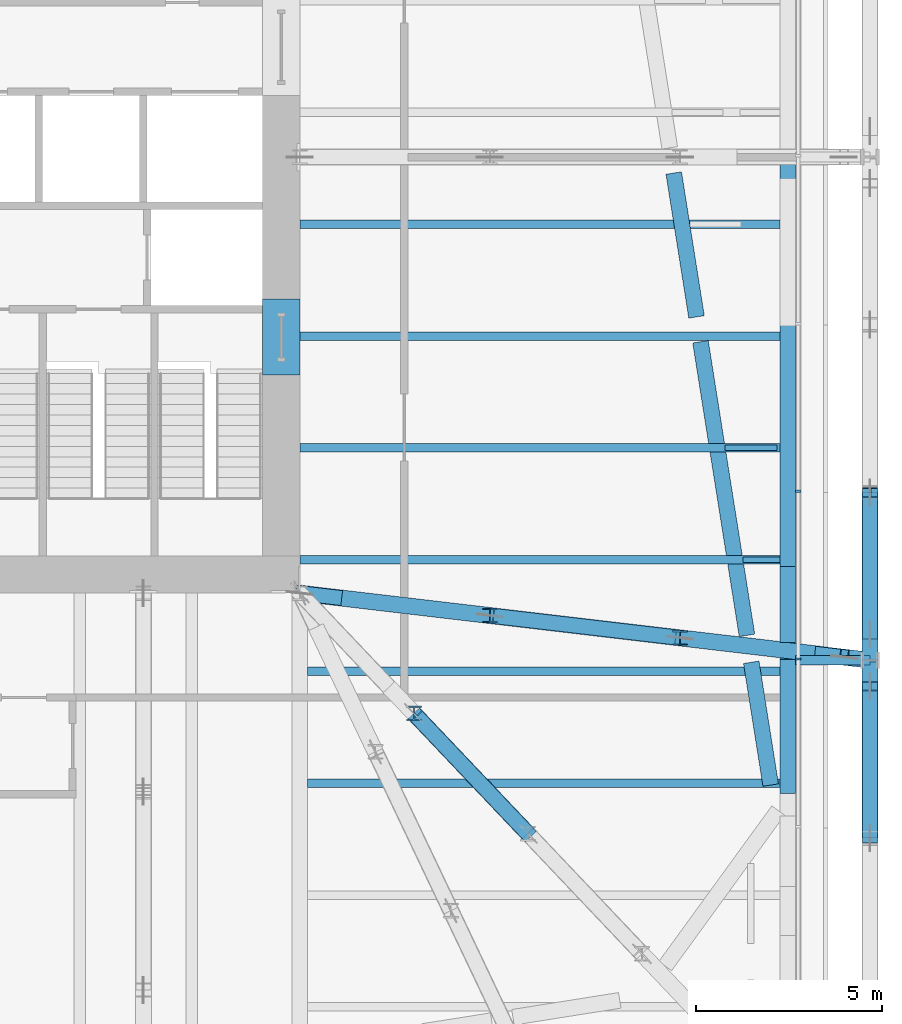
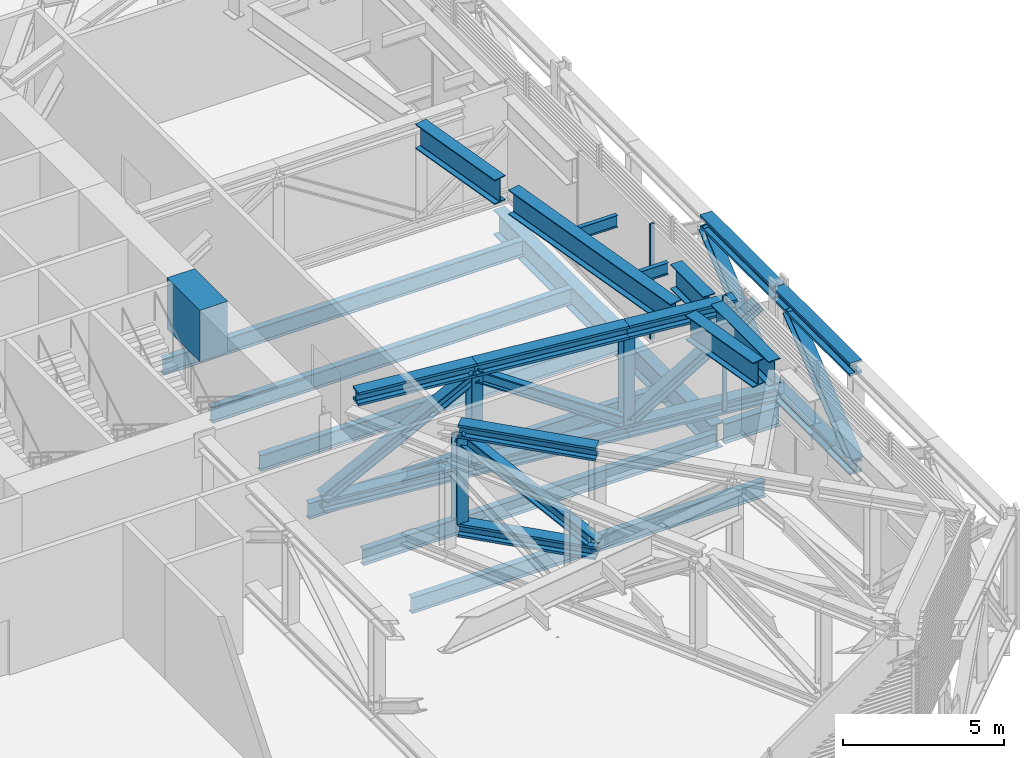
# One storey, part 11 of 31: 28 beams, 11 members, 1 element without a shape of its own.
"""IFC4 building model written with IfcOpenShell, lengths in metres."""

from ifc_helpers import new_model, si_unit, direction, frame, origin, origin_2d, place, context, subcontext, project, spatial, rectangle, i_section, extrude, material, layer, layer_set, material_profile, profile_set, type_object, element, aggregate, save


model = new_model("IFC4")

# Units and contexts
model_context = context("Model", 3, precision=1e-05, world=origin(), true_north=direction((0.0, 1.0)))
body_context = subcontext(model_context, "Body", "Model", "MODEL_VIEW")
ifc_project = project(units=[si_unit("LENGTHUNIT", "METRE"), si_unit("AREAUNIT", "SQUARE_METRE"), si_unit("VOLUMEUNIT", "CUBIC_METRE"), si_unit("PLANEANGLEUNIT", "RADIAN"), si_unit("MASSUNIT", "GRAM", prefix="KILO")], contexts=[model_context])

# Site, building, storey
site_placement = place(None, origin())
site = spatial("IfcSite", under=ifc_project, at=site_placement, CompositionType="ELEMENT")
building_placement = place(site_placement, origin())
building = spatial("IfcBuilding", under=site, at=building_placement, Name="Millrace Tower", CompositionType="ELEMENT")
storey_placement = place(building_placement, frame((0.0, 0.0, 120.39990234375)))
storey = spatial("IfcBuildingStorey", under=building, at=storey_placement, Name="L26", CompositionType="ELEMENT", Elevation=120.39990234375)

# Beams
ifc_material_1 = material(Name="Steel ASTM A992 Grade 50", Category="steel")
ifc_material_profile_1 = material_profile(ifc_material_1, i_section(OverallWidth=0.431884765625, OverallDepth=0.497802734375, WebThickness=0.0556640625, FlangeThickness=0.0888671875, FilletRadius=0.01513671875, at=origin_2d()))
ifc_profile_set_1 = profile_set([ifc_material_profile_1], Name="Steel ASTM A992 Grade 50")
beam_type_1 = type_object("IfcBeamType", Name="Belt truss chord W14x500", PredefinedType="BEAM", material=ifc_profile_set_1)
beam_1_placement = place(storey_placement, frame((30.199951171875, -16.47607421875, 0.2490234375), z_axis=(0.0, 1.0, 0.0), x_axis=(-1.0, 0.0, 0.0)))
element("IfcBeam", 1, at=beam_1_placement, inside=storey, type_object=beam_type_1, Name="BLT-L26-R06-B03", PredefinedType="BEAM", context=body_context, shape_type="SweptSolid", body=[
    extrude(i_section(OverallWidth=0.431884765625, OverallDepth=0.497802734375, WebThickness=0.0556640625, FlangeThickness=0.0888671875, FilletRadius=0.01513671875, at=origin_2d()), origin(), (0.0, 0.0, 1.0), 4.776123046875),
])
for number, where, z_axis, x_axis, name in (
    (2, (30.199951171875, -11.699951171875, 0.2490234375), (0.0, 1.0, 0.0), (-1.0, 0.0, 0.0), "BLT-L26-R07-B01"),
    (3, (30.199951171875, -11.699951171875, 3.9912109375), (0.0, 1.0, 0.0), (-1.0, 0.0, 0.0), "BLT-L26-R07-T01"),
):
    element("IfcBeam", number, at=place(storey_placement, frame(where, z_axis=z_axis, x_axis=x_axis)), inside=storey, type_object=beam_type_1, Name=name, PredefinedType="BEAM", context=body_context, shape_type="SweptSolid", body=[
        extrude(i_section(OverallWidth=0.431884765625, OverallDepth=0.497802734375, WebThickness=0.0556640625, FlangeThickness=0.0888671875, FilletRadius=0.01513671875, at=origin_2d()), origin(), (0.0, 0.0, 1.0), 4.5),
    ])
beam_2_placement = place(storey_placement, frame((30.199951171875, -16.47607421875, 3.9912109375), z_axis=(0.0, 1.0, 0.0), x_axis=(-1.0, 0.0, 0.0)))
element("IfcBeam", 4, at=beam_2_placement, inside=storey, type_object=beam_type_1, Name="BLT-L26-R06-T03", PredefinedType="BEAM", context=body_context, shape_type="SweptSolid", body=[
    extrude(i_section(OverallWidth=0.431884765625, OverallDepth=0.497802734375, WebThickness=0.0556640625, FlangeThickness=0.0888671875, FilletRadius=0.01513671875, at=origin_2d()), origin(), (0.0, 0.0, 1.0), 4.730712890625),
])

# Members
ifc_material_2 = material(Name="Steel ASTM A992 Grade 50", Category="steel")
ifc_material_profile_2 = material_profile(ifc_material_2, i_section(OverallWidth=0.4013671875, OverallDepth=0.398681640625, WebThickness=0.02490234375, FlangeThickness=0.03955078125, FilletRadius=0.01513671875, at=origin_2d()))
ifc_profile_set_2 = profile_set([ifc_material_profile_2], Name="Steel ASTM A992 Grade 50")
member_type_1 = type_object("IfcMemberType", Name="Belt truss diagonal W14x211", PredefinedType="BRACE", material=ifc_profile_set_2)
member_1_placement = place(storey_placement, frame((30.199951171875, -16.47607421875, 0.498046875), z_axis=(0.0, 0.782439131655, 0.62272707124), x_axis=(-1.0, 0.0, 0.0)))
element("IfcMember", 5, at=member_1_placement, inside=storey, type_object=member_type_1, Name="BLT-L26-R06-D03", PredefinedType="BRACE", context=body_context, shape_type="SweptSolid", body=[
    extrude(i_section(OverallWidth=0.4013671875, OverallDepth=0.398681640625, WebThickness=0.02490234375, FlangeThickness=0.03955078125, FilletRadius=0.01513671875, at=origin_2d()), origin(), (0.0, 0.0, 1.0), 5.20947265625),
])
member_2_placement = place(storey_placement, frame((30.199951171875, -11.0, 0.498046875), z_axis=(0.0, 0.760545081281, 0.649285129461), x_axis=(-1.0, 0.0, 0.0)))
element("IfcMember", 6, at=member_2_placement, inside=storey, type_object=member_type_1, Name="BLT-L26-R07-D01", PredefinedType="BRACE", context=body_context, shape_type="SweptSolid", body=[
    extrude(i_section(OverallWidth=0.4013671875, OverallDepth=0.398681640625, WebThickness=0.02490234375, FlangeThickness=0.03955078125, FilletRadius=0.01513671875, at=origin_2d()), origin(), (0.0, 0.0, 1.0), 4.99658203125),
])

# Curtain wall, members
ifc_material_3 = material(Name="Aluminium and glass", Category="aluminium")
ifc_layer = layer(ifc_material_3, 0.14990234375)
ifc_layer_set = layer_set([ifc_layer], Name="Aluminium and glass")
curtain_wall_type = type_object("IfcCurtainWallType", Name="CW-5 truss and plant storey louvred infill", PredefinedType="NOTDEFINED", material=ifc_layer_set)
curtain_wall_placement = place(storey_placement, origin())
curtain_wall = element("IfcCurtainWall", 7, at=curtain_wall_placement, inside=storey, type_object=curtain_wall_type, Name="Curtain wall B-F04 L26", PredefinedType="NOTDEFINED")
ifc_material_4 = material(Name="Aluminium", Category="aluminium")
ifc_material_profile_3 = material_profile(ifc_material_4, rectangle(XDim=0.06494140625, YDim=0.14990234375, at=origin_2d()))
ifc_profile_set_3 = profile_set([ifc_material_profile_3], Name="Aluminium")
member_type_2 = type_object("IfcMemberType", Name="CW-5 truss and plant storey louvred infill mullion", PredefinedType="MULLION", material=ifc_profile_set_3)
member_3_placement = place(storey_placement, frame((28.27490234375, -11.66748046875, 0.14013671875), z_axis=(0.0, 0.0, 1.0), x_axis=(0.0, 1.0, 0.0)))
member_3 = element("IfcMember", 8, at=member_3_placement, type_object=member_type_2, Name="CW5 mullion B-F04.4", PredefinedType="MULLION", context=body_context, shape_type="SweptSolid", body=[
    extrude(rectangle(XDim=0.06494140625, YDim=0.14990234375, at=origin_2d()), origin(), (0.0, 0.0, 1.0), 4.35986328125),
])
member_4_placement = place(storey_placement, frame((28.27490234375, -7.16748046875, 0.14013671875), z_axis=(0.0, 0.0, 1.0), x_axis=(0.0, 1.0, 0.0)))
member_4 = element("IfcMember", 9, at=member_4_placement, type_object=member_type_2, Name="CW5 mullion B-F04.5", PredefinedType="MULLION", context=body_context, shape_type="SweptSolid", body=[
    extrude(rectangle(XDim=0.06494140625, YDim=0.14990234375, at=origin_2d()), origin(), (0.0, 0.0, 1.0), 4.35986328125),
])
aggregate(curtain_wall, [member_3, member_4])

# Beams
ifc_material_5 = material(Name="Concrete C80", Category="concrete")
ifc_material_profile_4 = material_profile(ifc_material_5, rectangle(XDim=1.0, YDim=1.93994140625, at=origin_2d()))
ifc_profile_set_4 = profile_set([ifc_material_profile_4], Name="Concrete C80")
beam_type_2 = type_object("IfcBeamType", Name="Coupling beam 1000 x 1940 Concrete C80, 1300 opening", PredefinedType="BEAM", material=ifc_profile_set_4)
beam_3_placement = place(storey_placement, frame((14.39990234375, -2.011474609375, 3.3701171875), z_axis=(0.0, -1.0, 0.0), x_axis=(1.0, 0.0, 0.0)))
element("IfcBeam", 10, at=beam_3_placement, inside=storey, type_object=beam_type_2, Name="Coupling beam E L26", PredefinedType="BEAM", context=body_context, shape_type="SweptSolid", body=[
    extrude(rectangle(XDim=1.0, YDim=1.93994140625, at=origin_2d()), origin(), (0.0, 0.0, 1.0), 2.037109375),
])
ifc_material_6 = material(Name="Steel ASTM A992 Grade 50", Category="steel")
ifc_material_profile_5 = material_profile(ifc_material_6, i_section(OverallWidth=0.15234375, OverallDepth=0.449462890625, WebThickness=0.007568359375, FlangeThickness=0.0107421875, FilletRadius=0.01025390625, at=origin_2d()))
ifc_profile_set_5 = profile_set([ifc_material_profile_5], Name="Steel ASTM A992 Grade 50")
beam_type_3 = type_object("IfcBeamType", Name="Floor beam W18x35", PredefinedType="JOIST", material=ifc_profile_set_5)
beam_4_placement = place(storey_placement, frame((26.789794921875, -9.0, 4.115234375), z_axis=(1.0, 0.0, 0.0), x_axis=(0.0, 1.0, 0.0)))
element("IfcBeam", 11, at=beam_4_placement, inside=storey, type_object=beam_type_3, Name="BM-B-L26-R2-S001", PredefinedType="JOIST", context=body_context, shape_type="SweptSolid", body=[
    extrude(i_section(OverallWidth=0.15234375, OverallDepth=0.449462890625, WebThickness=0.007568359375, FlangeThickness=0.0107421875, FilletRadius=0.01025390625, at=origin_2d()), origin(), (0.0, 0.0, 1.0), 0.988525390625),
])
beam_5_placement = place(storey_placement, frame((26.314697265625, -6.0, 4.115234375), z_axis=(1.0, 0.0, 0.0), x_axis=(0.0, 1.0, 0.0)))
element("IfcBeam", 12, at=beam_5_placement, inside=storey, type_object=beam_type_3, Name="BM-B-L26-R2-S002", PredefinedType="JOIST", context=body_context, shape_type="SweptSolid", body=[
    extrude(i_section(OverallWidth=0.15234375, OverallDepth=0.449462890625, WebThickness=0.007568359375, FlangeThickness=0.0107421875, FilletRadius=0.01025390625, at=origin_2d()), origin(), (0.0, 0.0, 1.0), 1.384521484375),
])
ifc_material_7 = material(Name="Steel ASTM A992 Grade 50", Category="steel")
ifc_material_profile_6 = material_profile(ifc_material_7, i_section(OverallWidth=0.228271484375, OverallDepth=0.607177734375, WebThickness=0.01123046875, FlangeThickness=0.017333984375, FilletRadius=0.0126953125, at=origin_2d()))
ifc_profile_set_6 = profile_set([ifc_material_profile_6], Name="Steel ASTM A992 Grade 50")
beam_type_4 = type_object("IfcBeamType", Name="Floor beam W24x76", PredefinedType="JOIST", material=ifc_profile_set_6)
for number, where, z_axis, x_axis, name in (
    (13, (15.112060546875, -15.0, -0.553466796875), (1.0, 0.0, 0.0), (0.0, 1.0, 0.0), "BM-B-L26-S1-S010"),
    (14, (15.112060546875, -12.0, -0.553466796875), (1.0, 0.0, 0.0), (0.0, 1.0, 0.0), "BM-B-L26-S1-S012"),
):
    element("IfcBeam", number, at=place(storey_placement, frame(where, z_axis=z_axis, x_axis=x_axis)), inside=storey, type_object=beam_type_4, Name=name, PredefinedType="JOIST", context=body_context, shape_type="SweptSolid", body=[
        extrude(i_section(OverallWidth=0.228271484375, OverallDepth=0.607177734375, WebThickness=0.01123046875, FlangeThickness=0.017333984375, FilletRadius=0.0126953125, at=origin_2d()), origin(), (0.0, 0.0, 1.0), 12.666259765625),
    ])
for number, where, z_axis, x_axis, name in (
    (15, (14.89990234375, -9.0, -0.553466796875), (1.0, 0.0, 0.0), (0.0, 1.0, 0.0), "BM-B-L26-S1-S015"),
    (16, (14.89990234375, -6.0, -0.553466796875), (1.0, 0.0, 0.0), (0.0, 1.0, 0.0), "BM-B-L26-S1-S018"),
    (17, (14.89990234375, -3.0, -0.553466796875), (1.0, 0.0, 0.0), (0.0, 1.0, 0.0), "BM-B-L26-S1-S021"),
    (18, (14.89990234375, 0.0, -0.553466796875), (1.0, 0.0, 0.0), (0.0, 1.0, 0.0), "BM-B-L26-S1-S024"),
):
    element("IfcBeam", number, at=place(storey_placement, frame(where, z_axis=z_axis, x_axis=x_axis)), inside=storey, type_object=beam_type_4, Name=name, PredefinedType="JOIST", context=body_context, shape_type="SweptSolid", body=[
        extrude(i_section(OverallWidth=0.228271484375, OverallDepth=0.607177734375, WebThickness=0.01123046875, FlangeThickness=0.017333984375, FilletRadius=0.0126953125, at=origin_2d()), origin(), (0.0, 0.0, 1.0), 12.87841796875),
    ])
ifc_material_8 = material(Name="Steel ASTM A992 Grade 50", Category="steel")
ifc_material_profile_7 = material_profile(ifc_material_8, i_section(OverallWidth=0.2666015625, OverallDepth=0.7568359375, WebThickness=0.013916015625, FlangeThickness=0.019287109375, FilletRadius=0.0166015625, at=origin_2d()))
ifc_profile_set_7 = profile_set([ifc_material_profile_7], Name="Steel ASTM A992 Grade 50")
beam_type_5 = type_object("IfcBeamType", Name="Link beam W30x108", PredefinedType="BEAM", material=ifc_profile_set_7)
beam_6_placement = place(storey_placement, frame((28.199951171875, -11.699951171875, -0.62841796875), z_axis=(1.0, 0.0, 0.0), x_axis=(0.0, 1.0, 0.0)))
element("IfcBeam", 19, at=beam_6_placement, inside=storey, type_object=beam_type_5, Name="LNK-B-L26-S1-11", PredefinedType="BEAM", context=body_context, shape_type="SweptSolid", body=[
    extrude(i_section(OverallWidth=0.2666015625, OverallDepth=0.7568359375, WebThickness=0.013916015625, FlangeThickness=0.019287109375, FilletRadius=0.0166015625, at=origin_2d()), origin(), (0.0, 0.0, 1.0), 2.0),
])
ifc_material_9 = material(Name="Steel ASTM A992 Grade 50", Category="steel")
ifc_material_profile_8 = material_profile(ifc_material_9, i_section(OverallWidth=0.431884765625, OverallDepth=0.497802734375, WebThickness=0.0556640625, FlangeThickness=0.0888671875, FilletRadius=0.01513671875, at=origin_2d()))
ifc_profile_set_8 = profile_set([ifc_material_profile_8], Name="Steel ASTM A992 Grade 50")
beam_type_6 = type_object("IfcBeamType", Name="Outrigger truss chord W14x500", PredefinedType="BEAM", material=ifc_profile_set_8)
for number, where, z_axis, x_axis, name in (
    (20, (17.9599609375, -13.125732421875, 0.2490234375), (0.688247093703, -0.725476352481, 0.0), (0.725476352481, 0.688247093703, 0.0), "BLT-L26-O06-B02"),
    (21, (17.9599609375, -13.125732421875, 3.9912109375), (0.688247093703, -0.725476352481, 0.0), (0.725476352481, 0.688247093703, 0.0), "BLT-L26-O06-T02"),
):
    element("IfcBeam", number, at=place(storey_placement, frame(where, z_axis=z_axis, x_axis=x_axis)), inside=storey, type_object=beam_type_6, Name=name, PredefinedType="BEAM", context=body_context, shape_type="SweptSolid", body=[
        extrude(i_section(OverallWidth=0.431884765625, OverallDepth=0.497802734375, WebThickness=0.0556640625, FlangeThickness=0.0888671875, FilletRadius=0.01513671875, at=origin_2d()), origin(), (0.0, 0.0, 1.0), 4.446044921875),
    ])
for number, where, z_axis, x_axis, name in (
    (22, (14.89990234375, -9.89990234375, 0.2490234375), (0.99314865708, -0.116857797946, 0.0), (0.116857797946, 0.99314865708, 0.0), "BLT-L26-O07-B01"),
    (23, (20.0, -10.5, 0.2490234375), (0.99314865708, -0.116857797946, 0.0), (0.116857797946, 0.99314865708, 0.0), "BLT-L26-O07-B02"),
    (24, (20.0, -10.5, 3.9912109375), (0.99314865708, -0.116857797946, 0.0), (0.116857797946, 0.99314865708, 0.0), "BLT-L26-O07-T02"),
):
    element("IfcBeam", number, at=place(storey_placement, frame(where, z_axis=z_axis, x_axis=x_axis)), inside=storey, type_object=beam_type_6, Name=name, PredefinedType="BEAM", context=body_context, shape_type="SweptSolid", body=[
        extrude(i_section(OverallWidth=0.431884765625, OverallDepth=0.497802734375, WebThickness=0.0556640625, FlangeThickness=0.0888671875, FilletRadius=0.01513671875, at=origin_2d()), origin(), (0.0, 0.0, 1.0), 5.13525390625),
    ])
beam_7_placement = place(storey_placement, frame((25.10009765625, -11.10009765625, 0.2490234375), z_axis=(0.993153524825, -0.116816420628, 0.0), x_axis=(0.116816420628, 0.993153524825, 0.0)))
element("IfcBeam", 25, at=beam_7_placement, inside=storey, type_object=beam_type_6, Name="BLT-L26-O07-B03", PredefinedType="BEAM", context=body_context, shape_type="SweptSolid", body=[
    extrude(i_section(OverallWidth=0.431884765625, OverallDepth=0.497802734375, WebThickness=0.0556640625, FlangeThickness=0.0888671875, FilletRadius=0.01513671875, at=origin_2d()), origin(), (0.0, 0.0, 1.0), 5.135009765625),
])
beam_8_placement = place(storey_placement, frame((16.023193359375, -10.0322265625, 3.9912109375), z_axis=(0.993153101193, -0.116820022217, 0.0), x_axis=(0.116820022217, 0.993153101193, 0.0)))
element("IfcBeam", 26, at=beam_8_placement, inside=storey, type_object=beam_type_6, Name="BLT-L26-O07-T01", PredefinedType="BEAM", context=body_context, shape_type="SweptSolid", body=[
    extrude(i_section(OverallWidth=0.431884765625, OverallDepth=0.497802734375, WebThickness=0.0556640625, FlangeThickness=0.0888671875, FilletRadius=0.01513671875, at=origin_2d()), origin(), (0.0, 0.0, 1.0), 4.004150390625),
])
beam_9_placement = place(storey_placement, frame((25.10009765625, -11.10009765625, 3.9912109375), z_axis=(0.993155634872, -0.116798479966, 0.0), x_axis=(0.116798479966, 0.993155634872, 0.0)))
element("IfcBeam", 27, at=beam_9_placement, inside=storey, type_object=beam_type_6, Name="BLT-L26-O07-T03", PredefinedType="BEAM", context=body_context, shape_type="SweptSolid", body=[
    extrude(i_section(OverallWidth=0.431884765625, OverallDepth=0.497802734375, WebThickness=0.0556640625, FlangeThickness=0.0888671875, FilletRadius=0.01513671875, at=origin_2d()), origin(), (0.0, 0.0, 1.0), 3.643310546875),
])

# Members
ifc_material_10 = material(Name="Steel ASTM A992 Grade 50", Category="steel")
ifc_material_profile_9 = material_profile(ifc_material_10, i_section(OverallWidth=0.4013671875, OverallDepth=0.398681640625, WebThickness=0.02490234375, FlangeThickness=0.03955078125, FilletRadius=0.01513671875, at=origin_2d()))
ifc_profile_set_9 = profile_set([ifc_material_profile_9], Name="Steel ASTM A992 Grade 50")
member_type_3 = type_object("IfcMemberType", Name="Outrigger truss diagonal W14x211", PredefinedType="BRACE", material=ifc_profile_set_9)
member_5_placement = place(storey_placement, frame((21.02001953125, -16.351318359375, 0.498046875), z_axis=(-0.555980999883, 0.586055606387, 0.589426801216), x_axis=(-0.725476352481, -0.688247093703, 0.0)))
element("IfcMember", 28, at=member_5_placement, inside=storey, type_object=member_type_3, Name="BLT-L26-O06-D02", PredefinedType="BRACE", context=body_context, shape_type="SweptSolid", body=[
    extrude(i_section(OverallWidth=0.4013671875, OverallDepth=0.398681640625, WebThickness=0.02490234375, FlangeThickness=0.03955078125, FilletRadius=0.01513671875, at=origin_2d()), origin(), (0.0, 0.0, 1.0), 5.50390625),
])
for number, where, z_axis, x_axis, name in (
    (29, (14.89990234375, -9.89990234375, 0.498046875), (0.839636730443, -0.098794977665, 0.534087739307), (0.116857797946, 0.99314865708, 0.0), "BLT-L26-O07-D01"),
    (30, (25.10009765625, -11.10009765625, 0.498046875), (-0.839636730443, 0.098794977665, 0.534087739307), (-0.116857797946, -0.99314865708, 0.0), "BLT-L26-O07-D02"),
):
    element("IfcMember", number, at=place(storey_placement, frame(where, z_axis=z_axis, x_axis=x_axis)), inside=storey, type_object=member_type_3, Name=name, PredefinedType="BRACE", context=body_context, shape_type="SweptSolid", body=[
        extrude(i_section(OverallWidth=0.4013671875, OverallDepth=0.398681640625, WebThickness=0.02490234375, FlangeThickness=0.03955078125, FilletRadius=0.01513671875, at=origin_2d()), origin(), (0.0, 0.0, 1.0), 6.07421875),
    ])
member_6_placement = place(storey_placement, frame((25.10009765625, -11.10009765625, 0.498046875), z_axis=(0.80159943856, -0.094279681223, 0.590380963285), x_axis=(0.116809309091, 0.99315436127, 0.0)))
element("IfcMember", 31, at=member_6_placement, inside=storey, type_object=member_type_3, Name="BLT-L26-O07-D03", PredefinedType="BRACE", context=body_context, shape_type="SweptSolid", body=[
    extrude(i_section(OverallWidth=0.4013671875, OverallDepth=0.398681640625, WebThickness=0.02490234375, FlangeThickness=0.03955078125, FilletRadius=0.01513671875, at=origin_2d()), origin(), (0.0, 0.0, 1.0), 5.4951171875),
])
ifc_material_11 = material(Name="Steel ASTM A992 Grade 50", Category="steel")
ifc_material_profile_10 = material_profile(ifc_material_11, i_section(OverallWidth=0.398681640625, OverallDepth=0.385986328125, WebThickness=0.02099609375, FlangeThickness=0.033203125, FilletRadius=0.01513671875, at=origin_2d()))
ifc_profile_set_10 = profile_set([ifc_material_profile_10], Name="Steel ASTM A992 Grade 50")
member_type_4 = type_object("IfcMemberType", Name="Outrigger truss post W14x176", PredefinedType="POST", material=ifc_profile_set_10)
for number, where, z_axis, x_axis, name in (
    (32, (17.9599609375, -13.125732421875, 0.498046875), (0.0, 0.0, 1.0), (1.0, 0.0, 0.0), "BLT-L26-O06-V01"),
    (33, (20.0, -10.5, 0.498046875), (0.0, 0.0, 1.0), (1.0, 0.0, 0.0), "BLT-L26-O07-V01"),
    (34, (25.10009765625, -11.10009765625, 0.498046875), (0.0, 0.0, 1.0), (1.0, 0.0, 0.0), "BLT-L26-O07-V02"),
):
    element("IfcMember", number, at=place(storey_placement, frame(where, z_axis=z_axis, x_axis=x_axis)), inside=storey, type_object=member_type_4, Name=name, PredefinedType="POST", context=body_context, shape_type="SweptSolid", body=[
        extrude(i_section(OverallWidth=0.398681640625, OverallDepth=0.385986328125, WebThickness=0.02099609375, FlangeThickness=0.033203125, FilletRadius=0.01513671875, at=origin_2d()), origin(), (0.0, 0.0, 1.0), 3.244140625),
    ])

# Beams
ifc_material_12 = material(Name="Steel ASTM A992 Grade 50", Category="steel")
ifc_material_profile_11 = material_profile(ifc_material_12, i_section(OverallWidth=0.421630859375, OverallDepth=0.937255859375, WebThickness=0.021240234375, FlangeThickness=0.03662109375, FilletRadius=0.024169921875, at=origin_2d()))
ifc_profile_set_11 = profile_set([ifc_material_profile_11], Name="Steel ASTM A992 Grade 50")
beam_type_7 = type_object("IfcBeamType", Name="Ring beam medium span W36x262", PredefinedType="SPANDREL", material=ifc_profile_set_11)
beam_10_placement = place(storey_placement, frame((27.9892578125, 1.800048828125, -0.718505859375), z_axis=(0.0, -1.0, 0.0), x_axis=(1.0, 0.0, 0.0)))
element("IfcBeam", 35, at=beam_10_placement, inside=storey, type_object=beam_type_7, Name="RNG-B-L26-S1-10", PredefinedType="SPANDREL", context=body_context, shape_type="SweptSolid", body=[
    extrude(i_section(OverallWidth=0.421630859375, OverallDepth=0.937255859375, WebThickness=0.021240234375, FlangeThickness=0.03662109375, FilletRadius=0.024169921875, at=origin_2d()), origin(), (0.0, 0.0, 1.0), 13.5),
])
ifc_material_13 = material(Name="Steel ASTM A992 Grade 50", Category="steel")
ifc_material_profile_12 = material_profile(ifc_material_13, i_section(OverallWidth=0.421630859375, OverallDepth=0.937255859375, WebThickness=0.021240234375, FlangeThickness=0.03662109375, FilletRadius=0.024169921875, at=origin_2d()))
ifc_profile_set_12 = profile_set([ifc_material_profile_12], Name="Steel ASTM A992 Grade 50")
beam_type_8 = type_object("IfcBeamType", Name="Ring beam short span W36x262", PredefinedType="SPANDREL", material=ifc_profile_set_12)
beam_11_placement = place(storey_placement, frame((27.9892578125, -11.68408203125, 3.87158203125), z_axis=(0.0, -1.0, 0.0), x_axis=(1.0, 0.0, 0.0)))
element("IfcBeam", 36, at=beam_11_placement, inside=storey, type_object=beam_type_8, Name="RNG-B-L26-R2-04", PredefinedType="SPANDREL", context=body_context, shape_type="SweptSolid", body=[
    extrude(i_section(OverallWidth=0.421630859375, OverallDepth=0.937255859375, WebThickness=0.021240234375, FlangeThickness=0.03662109375, FilletRadius=0.024169921875, at=origin_2d()), origin(), (0.0, 0.0, 1.0), 3.58642578125),
])
beam_12_placement = place(storey_placement, frame((27.53466796875, -15.050048828125, 3.87158203125), z_axis=(-0.156443518041, 0.987686906698, 0.0), x_axis=(-0.987686906698, -0.156443518041, 0.0)))
element("IfcBeam", 37, at=beam_12_placement, inside=storey, type_object=beam_type_8, Name="RNG-B-L26-R2-05-a", PredefinedType="SPANDREL", context=body_context, shape_type="SweptSolid", body=[
    extrude(i_section(OverallWidth=0.421630859375, OverallDepth=0.937255859375, WebThickness=0.021240234375, FlangeThickness=0.03662109375, FilletRadius=0.024169921875, at=origin_2d()), origin(), (0.0, 0.0, 1.0), 3.33642578125),
])
beam_13_placement = place(storey_placement, frame((26.8984375, -11.033203125, 3.87158203125), z_axis=(-0.156429253543, 0.987689166001, 0.0), x_axis=(-0.987689166001, -0.156429253543, 0.0)))
element("IfcBeam", 38, at=beam_13_placement, inside=storey, type_object=beam_type_8, Name="RNG-B-L26-R2-05-b-a-a", PredefinedType="SPANDREL", context=body_context, shape_type="SweptSolid", body=[
    extrude(i_section(OverallWidth=0.421630859375, OverallDepth=0.937255859375, WebThickness=0.021240234375, FlangeThickness=0.03662109375, FilletRadius=0.024169921875, at=origin_2d()), origin(), (0.0, 0.0, 1.0), 7.978271484375),
])
beam_14_placement = place(storey_placement, frame((25.544921875, -2.487548828125, 3.87158203125), z_axis=(-0.156453258898, 0.987685363757, 0.0), x_axis=(-0.987685363757, -0.156453258898, 0.0)))
element("IfcBeam", 39, at=beam_14_placement, inside=storey, type_object=beam_type_8, Name="RNG-B-L26-R2-05-b-a-b", PredefinedType="SPANDREL", context=body_context, shape_type="SweptSolid", body=[
    extrude(i_section(OverallWidth=0.421630859375, OverallDepth=0.937255859375, WebThickness=0.021240234375, FlangeThickness=0.03662109375, FilletRadius=0.024169921875, at=origin_2d()), origin(), (0.0, 0.0, 1.0), 3.908935546875),
])
beam_15_placement = place(storey_placement, frame((27.9892578125, -9.177978515625, 3.87158203125), z_axis=(0.0, -1.0, 0.0), x_axis=(1.0, 0.0, 0.0)))
element("IfcBeam", 40, at=beam_15_placement, inside=storey, type_object=beam_type_8, Name="RNG-B-L26-R2-03-b", PredefinedType="SPANDREL", context=body_context, shape_type="SweptSolid", body=[
    extrude(i_section(OverallWidth=0.421630859375, OverallDepth=0.937255859375, WebThickness=0.021240234375, FlangeThickness=0.03662109375, FilletRadius=0.024169921875, at=origin_2d()), origin(), (0.0, 0.0, 1.0), 2.04052734375),
])

save(model, "model.ifc")
